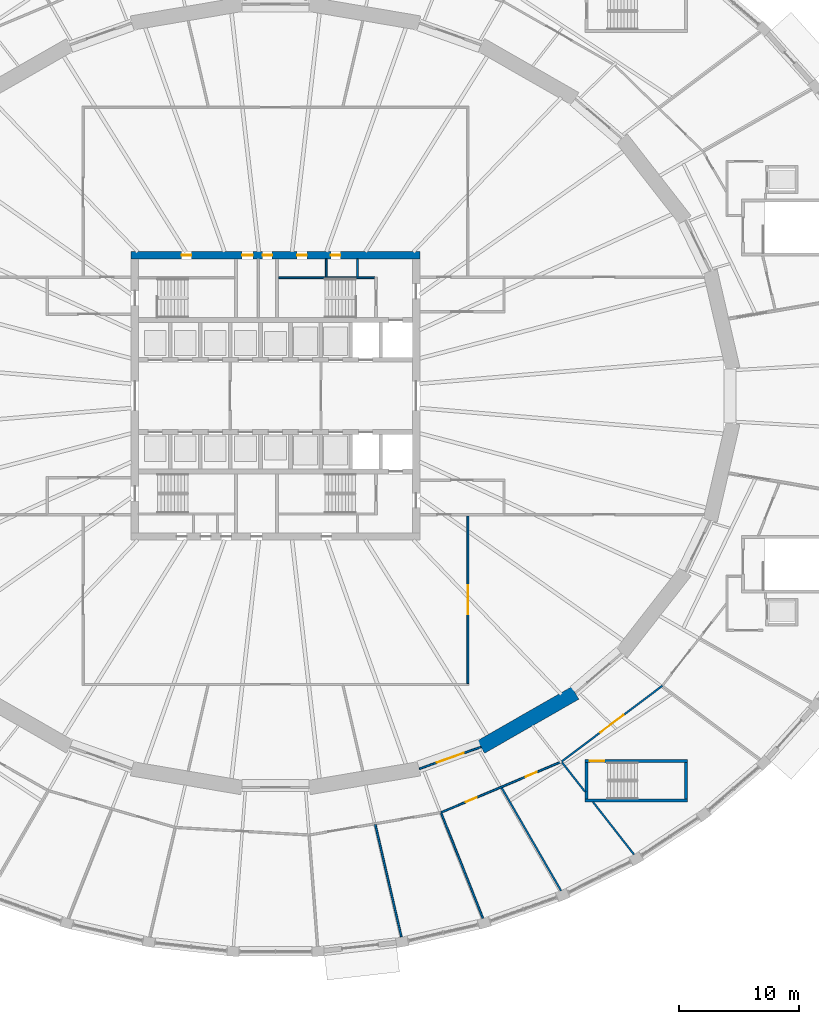
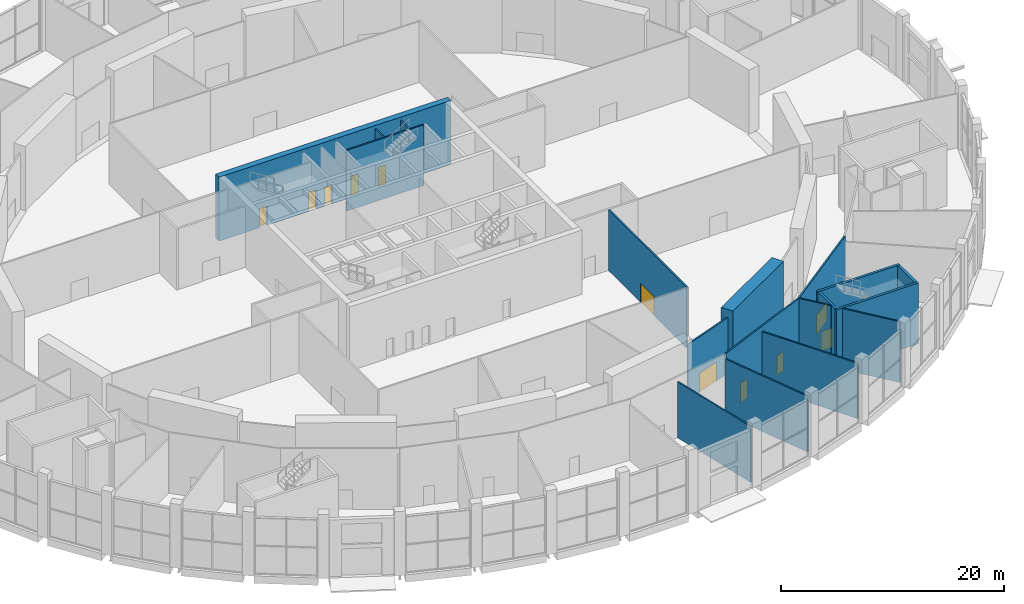
# One storey, part 23 of 33: 18 walls, 11 doors, 11 openings.
"""IFC4 building model written with IfcOpenShell, lengths in metres."""

from ifc_helpers import new_model, si_unit, direction, frame, frame_2d, origin, place, context, subcontext, project, spatial, polyline, rectangle, outline, extrude, material, layer, layer_set, type_object, element, fill, save


model = new_model("IFC4")

# Units and contexts
model_context = context("Model", 3, precision=1e-05, world=origin(), true_north=direction((0.0, 1.0)))
body_context = subcontext(model_context, "Body", "Model", "MODEL_VIEW")
ifc_project = project(units=[si_unit("LENGTHUNIT", "METRE"), si_unit("AREAUNIT", "SQUARE_METRE"), si_unit("VOLUMEUNIT", "CUBIC_METRE"), si_unit("PLANEANGLEUNIT", "RADIAN"), si_unit("MASSUNIT", "GRAM", prefix="KILO")], contexts=[model_context])

# Site, building, storey
site_placement = place(None, origin())
site = spatial("IfcSite", under=ifc_project, at=site_placement, CompositionType="ELEMENT")
building_placement = place(site_placement, origin())
building = spatial("IfcBuilding", under=site, at=building_placement, Name="Halqa Exchange Tower", CompositionType="ELEMENT")
storey_placement = place(building_placement, origin())
storey = spatial("IfcBuildingStorey", under=building, at=storey_placement, Name="L00", CompositionType="ELEMENT", Elevation=0.0)

# Walls
ifc_material_1 = material(Name="Fire-rated gypsum board")
ifc_layer_1 = layer(ifc_material_1, 0.14990234375)
ifc_layer_set_1 = layer_set([ifc_layer_1], Name="Fire-rated gypsum board")
wall_type_1 = type_object("IfcWallType", Name="Fire partition EI 60 150", PredefinedType="PARTITIONING", material=ifc_layer_set_1)
wall_1_placement = place(storey_placement, frame((8.298095703125, -35.657470703125, 0.0), z_axis=(0.0, 0.0, 1.0), x_axis=(0.226707460947, -0.973962898241, 0.0)))
element("IfcWall", 1, at=wall_1_placement, inside=storey, type_object=wall_type_1, Name="L00-PWL-065", PredefinedType="PARTITIONING", context=body_context, shape_type="SweptSolid", body=[
    extrude(outline(polyline([(-0.00439453125, -0.074951171875), (9.603759765625, -0.074951171875), (9.612548828125, 0.074951171875), (0.00439453125, 0.074951171875), (-0.00439453125, -0.074951171875)])), origin(), (0.0, 0.0, 1.0), 6.10009765625),
])
wall_2_placement = place(storey_placement, frame((13.7880859375, -34.720703125, 0.0), z_axis=(0.0, 0.0, 1.0), x_axis=(0.3690741926, -0.929399935634, 0.0)))
element("IfcWall", 2, at=wall_2_placement, inside=storey, type_object=wall_type_1, Name="L00-PWL-072", PredefinedType="PARTITIONING", context=body_context, shape_type="SweptSolid", body=[
    extrude(outline(polyline([(0.0, -0.074951171875), (9.39208984375, -0.074951171875), (9.40625, 0.074951171875), (0.0, 0.074951171875), (0.0, -0.074951171875)])), origin(), (0.0, 0.0, 1.0), 6.10009765625),
])

# Wall, openings, doors
wall_3_placement = place(storey_placement, frame((13.776123046875, -34.643310546875, 0.0), z_axis=(0.0, 0.0, 1.0), x_axis=(0.921269574612, 0.388924633951, 0.0)))
wall_3 = element("IfcWall", 3, at=wall_3_placement, inside=storey, type_object=wall_type_1, Name="L00-PWL-073", PredefinedType="PARTITIONING", context=body_context, shape_type="SweptSolid", body=[
    extrude(rectangle(XDim=10.879150390625, YDim=0.14990234375, at=frame_2d((5.439453125, 0.0))), origin(), (0.0, 0.0, 1.0), 6.64990234375),
])
opening_1_placement = place(wall_3_placement, frame((7.625732421875, 0.0, 0.0)))
opening_1 = element("IfcOpeningElement", 4, at=opening_1_placement, cuts=wall_3, Name="Opening L00-58", PredefinedType="OPENING", context=body_context, shape_type="SweptSolid", body=[
    extrude(rectangle(XDim=1.0, YDim=2.10009765625, at=frame_2d((0.5, 1.050048828125))), frame((0.0, 0.0869140625, 0.0), z_axis=(0.0, -1.0, 0.0), x_axis=(1.0, 0.0, 0.0)), (0.0, 0.0, 1.0), 0.173828125),
])
opening_2_placement = place(wall_3_placement, frame((2.218017578125, 0.0, 0.0)))
opening_2 = element("IfcOpeningElement", 5, at=opening_2_placement, cuts=wall_3, Name="Opening L00-59", PredefinedType="OPENING", context=body_context, shape_type="SweptSolid", body=[
    extrude(rectangle(XDim=1.0, YDim=2.10009765625, at=frame_2d((0.5, 1.050048828125))), frame((0.0, 0.0869140625, 0.0), z_axis=(0.0, -1.0, 0.0), x_axis=(1.0, 0.0, 0.0)), (0.0, 0.0, 1.0), 0.173828125),
])
ifc_material_2 = material(Name="Steel fire door leaf", Category="steel")
door_type_1 = type_object("IfcDoorType", Name="Fire door FD30S 1000 x 2100", OperationType="SINGLE_SWING_LEFT", PredefinedType="DOOR", material=ifc_material_2)
door_1_placement = place(opening_1_placement, frame((1.0, 0.0, 0.0), z_axis=(0.0, 0.0, 1.0), x_axis=(-1.0, 0.0, 0.0)))
door_1 = element("IfcDoor", 6, at=door_1_placement, inside=storey, type_object=door_type_1, Name="L00-IDR-058", OperationType="SINGLE_SWING_LEFT", OverallHeight=2.10009765625, OverallWidth=1.0, PredefinedType="DOOR", context=body_context, shape_type="SweptSolid", body=[
    extrude(rectangle(XDim=1.0, YDim=2.10009765625, at=frame_2d((0.5, 1.050048828125))), frame((0.0, 0.02490234375, 0.0), z_axis=(0.0, -1.0, 0.0), x_axis=(1.0, 0.0, 0.0)), (0.0, 0.0, 1.0), 0.050048828125),
])
fill(opening_1, door_1)
door_2_placement = place(opening_2_placement, frame((1.0, 0.0, 0.0), z_axis=(0.0, 0.0, 1.0), x_axis=(-1.0, 0.0, 0.0)))
door_2 = element("IfcDoor", 7, at=door_2_placement, inside=storey, type_object=door_type_1, Name="L00-IDR-059", OperationType="SINGLE_SWING_LEFT", OverallHeight=2.10009765625, OverallWidth=1.0, PredefinedType="DOOR", context=body_context, shape_type="SweptSolid", body=[
    extrude(rectangle(XDim=1.0, YDim=2.10009765625, at=frame_2d((0.5, 1.050048828125))), frame((0.0, 0.02490234375, 0.0), z_axis=(0.0, -1.0, 0.0), x_axis=(1.0, 0.0, 0.0)), (0.0, 0.0, 1.0), 0.050048828125),
])
fill(opening_2, door_2)

# Wall, opening, door
wall_4_placement = place(storey_placement, frame((16.0, -9.97998046875, 0.0), z_axis=(0.0, 0.0, 1.0), x_axis=(0.0, -1.0, 0.0)))
wall_4 = element("IfcWall", 8, at=wall_4_placement, inside=storey, type_object=wall_type_1, Name="L00-PWL-074", PredefinedType="PARTITIONING", context=body_context, shape_type="SweptSolid", body=[
    extrude(rectangle(XDim=13.946044921875, YDim=0.14990234375, at=frame_2d((6.97314453125, 0.0))), origin(), (0.0, 0.0, 1.0), 6.64990234375),
])
opening_3_placement = place(wall_4_placement, frame((5.760009765625, 0.0, 0.0)))
opening_3 = element("IfcOpeningElement", 9, at=opening_3_placement, cuts=wall_4, Name="Opening L00-14", PredefinedType="OPENING", context=body_context, shape_type="SweptSolid", body=[
    extrude(rectangle(XDim=2.39990234375, YDim=2.10009765625, at=frame_2d((1.199951171875, 1.050048828125))), frame((0.0, 0.0869140625, 0.0), z_axis=(0.0, -1.0, 0.0), x_axis=(1.0, 0.0, 0.0)), (0.0, 0.0, 1.0), 0.173828125),
])
door_type_2 = type_object("IfcDoorType", Name="Fire door FD60S double 2400 x 2100", OperationType="DOUBLE_DOOR_SINGLE_SWING", PredefinedType="DOOR", material=ifc_material_2)
door_3_placement = place(opening_3_placement, origin())
door_3 = element("IfcDoor", 10, at=door_3_placement, inside=storey, type_object=door_type_2, Name="L00-IDR-014", OperationType="DOUBLE_DOOR_SINGLE_SWING", OverallHeight=2.10009765625, OverallWidth=2.39990234375, PredefinedType="DOOR", context=body_context, shape_type="SweptSolid", body=[
    extrude(rectangle(XDim=2.39990234375, YDim=2.10009765625, at=frame_2d((1.199951171875, 1.050048828125))), frame((0.0, 0.02490234375, 0.0), z_axis=(0.0, -1.0, 0.0), x_axis=(1.0, 0.0, 0.0)), (0.0, 0.0, 1.0), 0.050048828125),
])
fill(opening_3, door_3)

wall_5_placement = place(storey_placement, frame((17.0908203125, -29.19970703125, 0.0), z_axis=(0.0, 0.0, 1.0), x_axis=(-0.942814385805, -0.333318217204, 0.0)))
wall_5 = element("IfcWall", 11, at=wall_5_placement, inside=storey, type_object=wall_type_1, Name="L00-PWL-076", PredefinedType="PARTITIONING", context=body_context, shape_type="SweptSolid", body=[
    extrude(outline(polyline([(0.013671875, -0.074951171875), (5.421875, -0.074951171875), (5.44775390625, 0.074951171875), (-0.013671875, 0.074951171875), (0.013671875, -0.074951171875)])), origin(), (0.0, 0.0, 1.0), 6.10009765625),
])
opening_4_placement = place(wall_5_placement, frame((1.516357421875, 0.0, 0.0)))
opening_4 = element("IfcOpeningElement", 12, at=opening_4_placement, cuts=wall_5, Name="Opening L00-31", PredefinedType="OPENING", context=body_context, shape_type="SweptSolid", body=[
    extrude(rectangle(XDim=2.39990234375, YDim=2.10009765625, at=frame_2d((1.199951171875, 1.050048828125))), frame((0.0, 0.0869140625, 0.0), z_axis=(0.0, -1.0, 0.0), x_axis=(1.0, 0.0, 0.0)), (0.0, 0.0, 1.0), 0.173828125),
])
door_4_placement = place(opening_4_placement, frame((2.39990234375, 0.0, 0.0), z_axis=(0.0, 0.0, 1.0), x_axis=(-1.0, 0.0, 0.0)))
door_4 = element("IfcDoor", 13, at=door_4_placement, inside=storey, type_object=door_type_2, Name="L00-IDR-031", OperationType="DOUBLE_DOOR_SINGLE_SWING", OverallHeight=2.10009765625, OverallWidth=2.39990234375, PredefinedType="DOOR", context=body_context, shape_type="SweptSolid", body=[
    extrude(rectangle(XDim=2.39990234375, YDim=2.10009765625, at=frame_2d((1.199951171875, 1.050048828125))), frame((0.0, 0.02490234375, 0.0), z_axis=(0.0, -1.0, 0.0), x_axis=(1.0, 0.0, 0.0)), (0.0, 0.0, 1.0), 0.050048828125),
])
fill(opening_4, door_4)

# Walls
wall_6_placement = place(storey_placement, frame((18.809814453125, -32.598876953125, 0.0), z_axis=(0.0, 0.0, 1.0), x_axis=(0.499854452602, -0.866109419308, 0.0)))
element("IfcWall", 14, at=wall_6_placement, inside=storey, type_object=wall_type_1, Name="L00-PWL-077", PredefinedType="PARTITIONING", context=body_context, shape_type="SweptSolid", body=[
    extrude(outline(polyline([(-0.00927734375, -0.074951171875), (9.8642578125, -0.074951171875), (9.8828125, 0.074951171875), (0.00927734375, 0.074951171875), (-0.00927734375, -0.074951171875)])), origin(), (0.0, 0.0, 1.0), 6.050048828125),
])
wall_7_placement = place(storey_placement, frame((23.826904296875, -30.479736328125, 0.0), z_axis=(0.0, 0.0, 1.0), x_axis=(0.617357742076, -0.786682539719, 0.0)))
element("IfcWall", 15, at=wall_7_placement, inside=storey, type_object=wall_type_1, Name="L00-PWL-084", PredefinedType="PARTITIONING", context=body_context, shape_type="SweptSolid", body=[
    extrude(outline(polyline([(0.0, -0.074951171875), (3.07080078125, -0.074951171875), (3.16064453125, 0.074951171875), (0.0, 0.074951171875), (0.0, -0.074951171875)])), origin(), (0.0, 0.0, 1.0), 6.64990234375),
])
wall_8_placement = place(storey_placement, frame((26.4033203125, -33.7744140625, 0.0), z_axis=(0.0, 0.0, 1.0), x_axis=(0.615890158436, -0.787832033331, 0.0)))
element("IfcWall", 16, at=wall_8_placement, inside=storey, type_object=wall_type_1, Name="L00-PWL-086", PredefinedType="PARTITIONING", context=body_context, shape_type="SweptSolid", body=[
    extrude(outline(polyline([(0.0, -0.074951171875), (5.532470703125, -0.074951171875), (5.553955078125, 0.074951171875), (0.0, 0.074951171875), (0.0, -0.074951171875)])), origin(), (0.0, 0.0, 1.0), 6.64990234375),
])

# Wall, opening, door
wall_9_placement = place(storey_placement, frame((32.186279296875, -24.09765625, 0.0), z_axis=(0.0, 0.0, 1.0), x_axis=(-0.799192758851, -0.601074815809, 0.0)))
wall_9 = element("IfcWall", 17, at=wall_9_placement, inside=storey, type_object=wall_type_1, Name="L00-PWL-090", PredefinedType="PARTITIONING", context=body_context, shape_type="SweptSolid", body=[
    extrude(rectangle(XDim=10.498046875, YDim=0.14990234375, at=frame_2d((5.2490234375, 0.0))), origin(), (0.0, 0.0, 1.0), 6.64990234375),
])
opening_5_placement = place(wall_9_placement, frame((4.069580078125, 0.0, 0.0)))
opening_5 = element("IfcOpeningElement", 18, at=opening_5_placement, cuts=wall_9, Name="Opening L00-60", PredefinedType="OPENING", context=body_context, shape_type="SweptSolid", body=[
    extrude(rectangle(XDim=2.39990234375, YDim=2.10009765625, at=frame_2d((1.199951171875, 1.050048828125))), frame((0.0, 0.0869140625, 0.0), z_axis=(0.0, -1.0, 0.0), x_axis=(1.0, 0.0, 0.0)), (0.0, 0.0, 1.0), 0.173828125),
])
door_5_placement = place(opening_5_placement, frame((2.39990234375, 0.0, 0.0), z_axis=(0.0, 0.0, 1.0), x_axis=(-1.0, 0.0, 0.0)))
door_5 = element("IfcDoor", 19, at=door_5_placement, inside=storey, type_object=door_type_2, Name="L00-IDR-060", OperationType="DOUBLE_DOOR_SINGLE_SWING", OverallHeight=2.10009765625, OverallWidth=2.39990234375, PredefinedType="DOOR", context=body_context, shape_type="SweptSolid", body=[
    extrude(rectangle(XDim=2.39990234375, YDim=2.10009765625, at=frame_2d((1.199951171875, 1.050048828125))), frame((0.0, 0.02490234375, 0.0), z_axis=(0.0, -1.0, 0.0), x_axis=(1.0, 0.0, 0.0)), (0.0, 0.0, 1.0), 0.050048828125),
])
fill(opening_5, door_5)

# Walls
ifc_material_3 = material(Name="Gypsum board")
ifc_layer_2 = layer(ifc_material_3, 0.14990234375)
ifc_layer_set_2 = layer_set([ifc_layer_2], Name="Gypsum board")
wall_type_2 = type_object("IfcWallType", Name="Penthouse riser wall 150 gypsum", PredefinedType="PARTITIONING", material=ifc_layer_set_2)
for number, where, z_axis, x_axis, name in (
    (20, (4.22509765625, 9.89990234375, 0.0), (0.0, 0.0, 1.0), (0.0, 1.0, 0.0), "Partition E4.225 N"),
    (21, (6.824951171875, 9.89990234375, 0.0), (0.0, 0.0, 1.0), (0.0, 1.0, 0.0), "Firefighting lobby west wall N"),
):
    element("IfcWall", number, at=place(storey_placement, frame(where, z_axis=z_axis, x_axis=x_axis)), inside=storey, type_object=wall_type_2, Name=name, PredefinedType="PARTITIONING", context=body_context, shape_type="SweptSolid", body=[
        extrude(rectangle(XDim=1.5, YDim=0.14990234375, at=frame_2d((0.75, 0.0))), origin(), (0.0, 0.0, 1.0), 6.64990234375),
    ])

# Wall, openings, doors
ifc_material_4 = material(Name="Concrete C80/95", Category="concrete")
ifc_layer_3 = layer(ifc_material_4, 0.60009765625)
ifc_layer_set_3 = layer_set([ifc_layer_3], Name="Concrete C80/95")
wall_type_3 = type_object("IfcWallType", Name="RC core wall 600 C80/95", PredefinedType="SHEAR", material=ifc_layer_set_3)
wall_10_placement = place(storey_placement, frame((-12.0, 11.699951171875, 0.0), z_axis=(0.0, 0.0, 1.0), x_axis=(1.0, 0.0, 0.0)))
wall_10 = element("IfcWall", 22, at=wall_10_placement, inside=storey, type_object=wall_type_3, Name="Core wall north", PredefinedType="SHEAR", context=body_context, shape_type="SweptSolid", body=[
    extrude(rectangle(XDim=24.0, YDim=0.60009765625, at=frame_2d((12.0, 0.0))), origin(), (0.0, 0.0, 1.0), 7.0),
])
opening_6_placement = place(wall_10_placement, frame((9.22509765625, 0.0, 0.0)))
opening_6 = element("IfcOpeningElement", 23, at=opening_6_placement, cuts=wall_10, Name="Opening L00-C41", PredefinedType="OPENING", context=body_context, shape_type="SweptSolid", body=[
    extrude(rectangle(XDim=0.89990234375, YDim=2.10009765625, at=frame_2d((0.449951171875, 1.050048828125))), frame((0.0, 0.31201171875, 0.0), z_axis=(0.0, -1.0, 0.0), x_axis=(1.0, 0.0, 0.0)), (0.0, 0.0, 1.0), 0.6240234375),
])
opening_7_placement = place(wall_10_placement, frame((10.925048828125, 0.0, 0.0)))
opening_7 = element("IfcOpeningElement", 24, at=opening_7_placement, cuts=wall_10, Name="Opening L00-C42", PredefinedType="OPENING", context=body_context, shape_type="SweptSolid", body=[
    extrude(rectangle(XDim=0.800048828125, YDim=2.10009765625, at=frame_2d((0.39990234375, 1.050048828125))), frame((0.0, 0.31201171875, 0.0), z_axis=(0.0, -1.0, 0.0), x_axis=(1.0, 0.0, 0.0)), (0.0, 0.0, 1.0), 0.6240234375),
])
opening_8_placement = place(wall_10_placement, frame((4.199951171875, 0.0, 0.0)))
opening_8 = element("IfcOpeningElement", 25, at=opening_8_placement, cuts=wall_10, Name="Opening L00-C43", PredefinedType="OPENING", context=body_context, shape_type="SweptSolid", body=[
    extrude(rectangle(XDim=0.800048828125, YDim=2.10009765625, at=frame_2d((0.39990234375, 1.050048828125))), frame((0.0, 0.31201171875, 0.0), z_axis=(0.0, -1.0, 0.0), x_axis=(1.0, 0.0, 0.0)), (0.0, 0.0, 1.0), 0.6240234375),
])
opening_9_placement = place(wall_10_placement, frame((13.800048828125, 0.0, 0.0)))
opening_9 = element("IfcOpeningElement", 26, at=opening_9_placement, cuts=wall_10, Name="Opening L00-C44", PredefinedType="OPENING", context=body_context, shape_type="SweptSolid", body=[
    extrude(rectangle(XDim=0.800048828125, YDim=2.10009765625, at=frame_2d((0.39990234375, 1.050048828125))), frame((0.0, 0.31201171875, 0.0), z_axis=(0.0, -1.0, 0.0), x_axis=(1.0, 0.0, 0.0)), (0.0, 0.0, 1.0), 0.6240234375),
])
opening_10_placement = place(wall_10_placement, frame((16.60009765625, 0.0, 0.0)))
opening_10 = element("IfcOpeningElement", 27, at=opening_10_placement, cuts=wall_10, Name="Opening L00-C45", PredefinedType="OPENING", context=body_context, shape_type="SweptSolid", body=[
    extrude(rectangle(XDim=0.800048828125, YDim=2.10009765625, at=frame_2d((0.39990234375, 1.050048828125))), frame((0.0, 0.31201171875, 0.0), z_axis=(0.0, -1.0, 0.0), x_axis=(1.0, 0.0, 0.0)), (0.0, 0.0, 1.0), 0.6240234375),
])
ifc_material_5 = material(Name="Timber fire door leaf", Category="wood")
door_type_3 = type_object("IfcDoorType", Name="Core room door FD30 900 x 2100", OperationType="SINGLE_SWING_LEFT", PredefinedType="DOOR", material=ifc_material_5)
door_6_placement = place(opening_6_placement, frame((0.89990234375, 0.0, 0.0), z_axis=(0.0, 0.0, 1.0), x_axis=(-1.0, 0.0, 0.0)))
door_6 = element("IfcDoor", 28, at=door_6_placement, inside=storey, type_object=door_type_3, Name="Core room door", OperationType="SINGLE_SWING_RIGHT", OverallHeight=2.10009765625, OverallWidth=0.89990234375, PredefinedType="DOOR", context=body_context, shape_type="SweptSolid", body=[
    extrude(rectangle(XDim=0.89990234375, YDim=2.10009765625, at=frame_2d((0.449951171875, 1.050048828125))), frame((0.0, 0.02490234375, 0.0), z_axis=(0.0, -1.0, 0.0), x_axis=(1.0, 0.0, 0.0)), (0.0, 0.0, 1.0), 0.050048828125),
])
fill(opening_6, door_6)
door_type_4 = type_object("IfcDoorType", Name="Riser door FD60 800 x 2100", OperationType="SINGLE_SWING_LEFT", PredefinedType="DOOR", material=ifc_material_2)
door_7_placement = place(opening_7_placement, frame((0.800048828125, 0.0, 0.0), z_axis=(0.0, 0.0, 1.0), x_axis=(-1.0, 0.0, 0.0)))
door_7 = element("IfcDoor", 29, at=door_7_placement, inside=storey, type_object=door_type_4, Name="Core room door", OperationType="SINGLE_SWING_RIGHT", OverallHeight=2.10009765625, OverallWidth=0.800048828125, PredefinedType="DOOR", context=body_context, shape_type="SweptSolid", body=[
    extrude(rectangle(XDim=0.800048828125, YDim=2.10009765625, at=frame_2d((0.39990234375, 1.050048828125))), frame((0.0, 0.02490234375, 0.0), z_axis=(0.0, -1.0, 0.0), x_axis=(1.0, 0.0, 0.0)), (0.0, 0.0, 1.0), 0.050048828125),
])
fill(opening_7, door_7)
door_8_placement = place(opening_8_placement, frame((0.800048828125, 0.0, 0.0), z_axis=(0.0, 0.0, 1.0), x_axis=(-1.0, 0.0, 0.0)))
door_8 = element("IfcDoor", 30, at=door_8_placement, inside=storey, type_object=door_type_4, Name="Core room door", OperationType="SINGLE_SWING_RIGHT", OverallHeight=2.10009765625, OverallWidth=0.800048828125, PredefinedType="DOOR", context=body_context, shape_type="SweptSolid", body=[
    extrude(rectangle(XDim=0.800048828125, YDim=2.10009765625, at=frame_2d((0.39990234375, 1.050048828125))), frame((0.0, 0.02490234375, 0.0), z_axis=(0.0, -1.0, 0.0), x_axis=(1.0, 0.0, 0.0)), (0.0, 0.0, 1.0), 0.050048828125),
])
fill(opening_8, door_8)
door_9_placement = place(opening_9_placement, frame((0.800048828125, 0.0, 0.0), z_axis=(0.0, 0.0, 1.0), x_axis=(-1.0, 0.0, 0.0)))
door_9 = element("IfcDoor", 31, at=door_9_placement, inside=storey, type_object=door_type_4, Name="Core room door", OperationType="SINGLE_SWING_LEFT", OverallHeight=2.10009765625, OverallWidth=0.800048828125, PredefinedType="DOOR", context=body_context, shape_type="SweptSolid", body=[
    extrude(rectangle(XDim=0.800048828125, YDim=2.10009765625, at=frame_2d((0.39990234375, 1.050048828125))), frame((0.0, 0.02490234375, 0.0), z_axis=(0.0, -1.0, 0.0), x_axis=(1.0, 0.0, 0.0)), (0.0, 0.0, 1.0), 0.050048828125),
])
fill(opening_9, door_9)
door_10_placement = place(opening_10_placement, frame((0.800048828125, 0.0, 0.0), z_axis=(0.0, 0.0, 1.0), x_axis=(-1.0, 0.0, 0.0)))
door_10 = element("IfcDoor", 32, at=door_10_placement, inside=storey, type_object=door_type_4, Name="Core room door", OperationType="SINGLE_SWING_LEFT", OverallHeight=2.10009765625, OverallWidth=0.800048828125, PredefinedType="DOOR", context=body_context, shape_type="SweptSolid", body=[
    extrude(rectangle(XDim=0.800048828125, YDim=2.10009765625, at=frame_2d((0.39990234375, 1.050048828125))), frame((0.0, 0.02490234375, 0.0), z_axis=(0.0, -1.0, 0.0), x_axis=(1.0, 0.0, 0.0)), (0.0, 0.0, 1.0), 0.050048828125),
])
fill(opening_10, door_10)

# Walls
ifc_layer_4 = layer(ifc_material_4, 1.199951171875)
ifc_layer_set_4 = layer_set([ifc_layer_4], Name="Concrete C80/95")
wall_type_4 = type_object("IfcWallType", Name="RC ring pier 1200 C80/95", PredefinedType="SHEAR", material=ifc_layer_set_4)
wall_11_placement = place(storey_placement, frame((17.088623046875, -29.197509765625, 0.0), z_axis=(0.0, 0.0, 1.0), x_axis=(0.867760656864, 0.496982336103, 0.0)))
element("IfcWall", 33, at=wall_11_placement, inside=storey, type_object=wall_type_4, Name="Ring pier 14", PredefinedType="SHEAR", context=body_context, shape_type="SweptSolid", body=[
    extrude(rectangle(XDim=9.037841796875, YDim=1.199951171875, at=frame_2d((4.51904296875, 0.0))), origin(), (0.0, 0.0, 1.0), 7.0),
])
ifc_material_6 = material(Name="Concrete C30/37", Category="concrete")
ifc_layer_5 = layer(ifc_material_6, 0.14990234375)
ifc_layer_set_5 = layer_set([ifc_layer_5], Name="Concrete C30/37")
wall_type_5 = type_object("IfcWallType", Name="RC stair wall 150 C30/37", PredefinedType="SHEAR", material=ifc_layer_set_5)
wall_12_placement = place(storey_placement, frame((0.25, 9.824951171875, 0.0), z_axis=(0.0, 0.0, 1.0), x_axis=(1.0, 0.0, 0.0)))
element("IfcWall", 34, at=wall_12_placement, inside=storey, type_object=wall_type_5, Name="Stair ST2 north wall N", PredefinedType="SHEAR", context=body_context, shape_type="SweptSolid", body=[
    extrude(rectangle(XDim=8.0, YDim=0.14990234375, at=frame_2d((4.0, 0.0))), origin(), (0.0, 0.0, 1.0), 6.64990234375),
])

# Wall, opening, door
ifc_layer_6 = layer(ifc_material_6, 0.25)
ifc_layer_set_6 = layer_set([ifc_layer_6], Name="Concrete C30/37")
wall_type_6 = type_object("IfcWallType", Name="RC stair wall 250 C30/37", PredefinedType="SHEAR", material=ifc_layer_set_6)
wall_13_placement = place(storey_placement, frame((25.75, -30.35009765625, 0.0), z_axis=(0.0, 0.0, 1.0), x_axis=(1.0, 0.0, 0.0)))
wall_13 = element("IfcWall", 35, at=wall_13_placement, inside=storey, type_object=wall_type_6, Name="Stair PS2 wall north", PredefinedType="SHEAR", context=body_context, shape_type="SweptSolid", body=[
    extrude(rectangle(XDim=8.5, YDim=0.25, at=frame_2d((4.25, 0.0))), origin(), (0.0, 0.0, 1.0), 6.64990234375),
])
opening_11_placement = place(wall_13_placement, frame((0.39990234375, 0.0, 0.0)))
opening_11 = element("IfcOpeningElement", 36, at=opening_11_placement, cuts=wall_13, Name="Opening L00-C32", PredefinedType="OPENING", context=body_context, shape_type="SweptSolid", body=[
    extrude(rectangle(XDim=1.199951171875, YDim=2.10009765625, at=frame_2d((0.60009765625, 1.050048828125))), frame((0.0, 0.136962890625, 0.0), z_axis=(0.0, -1.0, 0.0), x_axis=(1.0, 0.0, 0.0)), (0.0, 0.0, 1.0), 0.27392578125),
])
door_type_5 = type_object("IfcDoorType", Name="Stair door FD90 1200 x 2100", OperationType="SINGLE_SWING_LEFT", PredefinedType="DOOR", material=ifc_material_2)
door_11_placement = place(opening_11_placement, origin())
door_11 = element("IfcDoor", 37, at=door_11_placement, inside=storey, type_object=door_type_5, Name="Stair door PS2", OperationType="SINGLE_SWING_RIGHT", OverallHeight=2.10009765625, OverallWidth=1.199951171875, PredefinedType="DOOR", context=body_context, shape_type="SweptSolid", body=[
    extrude(rectangle(XDim=1.199951171875, YDim=2.10009765625, at=frame_2d((0.60009765625, 1.050048828125))), frame((0.0, 0.02490234375, 0.0), z_axis=(0.0, -1.0, 0.0), x_axis=(1.0, 0.0, 0.0)), (0.0, 0.0, 1.0), 0.050048828125),
])
fill(opening_11, door_11)

# Walls
wall_14_placement = place(storey_placement, frame((25.75, -33.64990234375, 0.0), z_axis=(0.0, 0.0, 1.0), x_axis=(1.0, 0.0, 0.0)))
element("IfcWall", 38, at=wall_14_placement, inside=storey, type_object=wall_type_6, Name="Stair PS2 wall south", PredefinedType="SHEAR", context=body_context, shape_type="SweptSolid", body=[
    extrude(rectangle(XDim=8.5, YDim=0.25, at=frame_2d((4.25, 0.0))), origin(), (0.0, 0.0, 1.0), 6.64990234375),
])
for number, where, z_axis, x_axis, name in (
    (39, (25.875, -33.52490234375, 0.0), (0.0, 0.0, 1.0), (0.0, 1.0, 0.0), "Stair PS2 wall west"),
    (40, (34.125, -33.52490234375, 0.0), (0.0, 0.0, 1.0), (0.0, 1.0, 0.0), "Stair PS2 wall east"),
):
    element("IfcWall", number, at=place(storey_placement, frame(where, z_axis=z_axis, x_axis=x_axis)), inside=storey, type_object=wall_type_6, Name=name, PredefinedType="SHEAR", context=body_context, shape_type="SweptSolid", body=[
        extrude(rectangle(XDim=3.0498046875, YDim=0.25, at=frame_2d((1.52490234375, 0.0))), origin(), (0.0, 0.0, 1.0), 6.64990234375),
    ])

save(model, "model.ifc")
